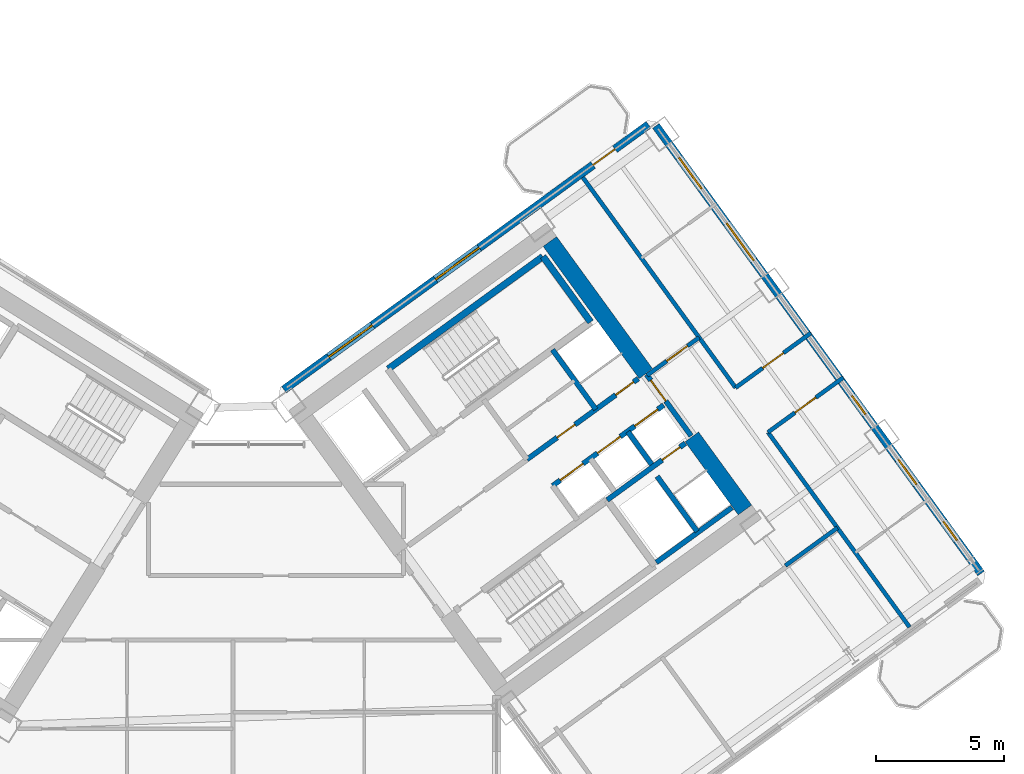
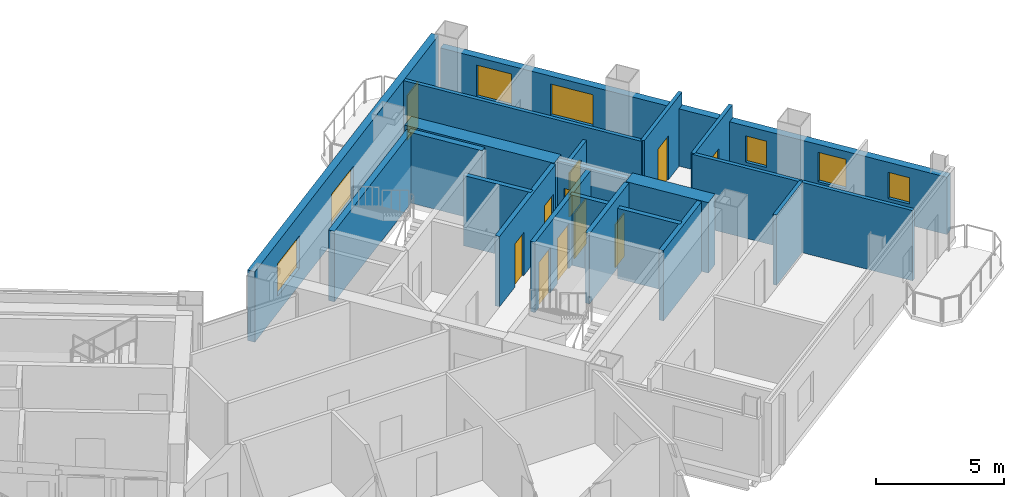
# One storey, part 19 of 28: 20 walls, 11 doors, 7 windows, 18 openings.
"""IFC4 building model written with IfcOpenShell, lengths in metres."""

from ifc_helpers import new_model, si_unit, direction, frame, frame_2d, origin, place, context, subcontext, project, spatial, rectangle, extrude, source, transform, mapped, material, layer, layer_set, type_object, element, fill, save


model = new_model("IFC4")

# Units and contexts
model_context = context("Model", 3, precision=1e-05, world=origin(), true_north=direction((0.0, 1.0)))
body_context = subcontext(model_context, "Body", "Model", "MODEL_VIEW")
ifc_project = project(units=[si_unit("LENGTHUNIT", "METRE"), si_unit("AREAUNIT", "SQUARE_METRE"), si_unit("VOLUMEUNIT", "CUBIC_METRE"), si_unit("PLANEANGLEUNIT", "RADIAN"), si_unit("MASSUNIT", "GRAM", prefix="KILO")], contexts=[model_context])

# Site, building, storey
site_placement = place(None, origin())
site = spatial("IfcSite", under=ifc_project, at=site_placement, CompositionType="ELEMENT")
building_placement = place(site_placement, origin())
building = spatial("IfcBuilding", under=site, at=building_placement, Name="Tlacorven Tower", CompositionType="ELEMENT")
storey_placement = place(building_placement, frame((0.0, 0.0, 56.39990234375)))
storey = spatial("IfcBuildingStorey", under=building, at=storey_placement, Name="L14", CompositionType="ELEMENT", Elevation=56.39990234375)

# Walls
ifc_material_1 = material(Name="Concrete C60/75", Category="concrete")
ifc_layer_1 = layer(ifc_material_1, 0.64990234375)
ifc_layer_set_1 = layer_set([ifc_layer_1], Name="Concrete C60/75")
wall_type_1 = type_object("IfcWallType", Name="WL-COR-650", PredefinedType="SHEAR", material=ifc_layer_set_1)
wall_1_placement = place(storey_placement, frame((61.9287109375, 20.494384765625, 0.0), z_axis=(0.0, 0.0, 1.0), x_axis=(-0.58782982593, 0.808984607855, 0.0)))
element("IfcWall", 1, at=wall_1_placement, inside=storey, type_object=wall_type_1, Name="L14 E core end wall E2.1", PredefinedType="SHEAR", context=body_context, shape_type="SweptSolid", body=[
    extrude(rectangle(XDim=3.52490234375, YDim=0.64990234375, at=frame_2d((1.762451171875, 0.0))), origin(), (0.0, 0.0, 1.0), 3.35009765625),
])
wall_2_placement = place(storey_placement, frame((58.06396484375, 25.8134765625, 0.0), z_axis=(0.0, 0.0, 1.0), x_axis=(-0.58777996584, 0.809020835181, 0.0)))
element("IfcWall", 2, at=wall_2_placement, inside=storey, type_object=wall_type_1, Name="L14 E core end wall E2.2", PredefinedType="SHEAR", context=body_context, shape_type="SweptSolid", body=[
    extrude(rectangle(XDim=6.375, YDim=0.64990234375, at=frame_2d((3.1875, 0.0))), origin(), (0.0, 0.0, 1.0), 3.35009765625),
])
ifc_material_2 = material(Name="Gypsum plasterboard acoustic partition", Category="gypsum")
ifc_layer_2 = layer(ifc_material_2, 0.159912109375)
ifc_layer_set_2 = layer_set([ifc_layer_2], Name="Gypsum plasterboard acoustic partition")
wall_type_2 = type_object("IfcWallType", Name="WL-DEM-160", PredefinedType="PARTITIONING", material=ifc_layer_set_2)
wall_3_placement = place(storey_placement, frame((63.5068359375, 18.322021484375, 0.0), z_axis=(0.0, 0.0, 1.0), x_axis=(0.809034604122, 0.587761013791, 0.0)))
element("IfcWall", 3, at=wall_3_placement, inside=storey, type_object=wall_type_2, Name="L14 partition 89", PredefinedType="PARTITIONING", context=body_context, shape_type="SweptSolid", body=[
    extrude(rectangle(XDim=2.510009765625, YDim=0.159912109375, at=frame_2d((1.2548828125, 0.0))), origin(), (0.0, 0.0, 1.0), 3.340087890625),
])

# Wall, opening, door
wall_4_placement = place(storey_placement, frame((58.111083984375, 25.748779296875, 0.0), z_axis=(0.0, 0.0, 1.0), x_axis=(0.809000999347, 0.58780726693, 0.0)))
wall_4 = element("IfcWall", 4, at=wall_4_placement, inside=storey, type_object=wall_type_2, Name="L14 partition 90", PredefinedType="PARTITIONING", context=body_context, shape_type="SweptSolid", body=[
    extrude(rectangle(XDim=2.510009765625, YDim=0.159912109375, at=frame_2d((1.2548828125, 0.0))), origin(), (0.0, 0.0, 1.0), 2.72509765625),
])
opening_1_placement = place(wall_4_placement, frame((0.949951171875, 0.0, 0.0)))
opening_1 = element("IfcOpeningElement", 5, at=opening_1_placement, cuts=wall_4, Name="Opening D11", PredefinedType="OPENING", context=body_context, shape_type="SweptSolid", body=[
    extrude(rectangle(XDim=1.0, YDim=2.10009765625, at=frame_2d((0.5, 1.050048828125))), frame((0.0, 0.08984375, 0.0), z_axis=(0.0, -1.0, 0.0), x_axis=(1.0, 0.0, 0.0)), (0.0, 0.0, 1.0), 0.179931640625),
])
ifc_material_3 = material(Name="Fire-rated steel door assembly", Category="steel")
door_type_1 = type_object("IfcDoorType", Name="DR-FLT-FD60-1000", OperationType="NOTDEFINED", PredefinedType="DOOR", material=ifc_material_3)
shared_shape_1 = source(origin(), body_context, "Body", "SweptSolid", [
    extrude(rectangle(XDim=1.0, YDim=2.10009765625, at=frame_2d((0.5, 1.050048828125))), frame((0.0, 0.02490234375, 0.0), z_axis=(0.0, -1.0, 0.0), x_axis=(1.0, 0.0, 0.0)), (0.0, 0.0, 1.0), 0.050048828125),
])
door_1_placement = place(opening_1_placement, origin())
door_1 = element("IfcDoor", 6, at=door_1_placement, inside=storey, type_object=door_type_1, Name="L14 door 053", OperationType="SINGLE_SWING_LEFT", OverallHeight=2.10009765625, OverallWidth=1.0, PredefinedType="DOOR", context=body_context, shape_type="MappedRepresentation", body=[
    mapped(shared_shape_1, transform((0.0, 0.0, 0.0), scale=1.0)),
])
fill(opening_1, door_1)

# Walls
wall_5_placement = place(storey_placement, frame((68.35302734375, 15.922119140625, 0.0), z_axis=(0.0, 0.0, 1.0), x_axis=(-0.587784007866, 0.809017898502, 0.0)))
element("IfcWall", 7, at=wall_5_placement, inside=storey, type_object=wall_type_2, Name="L14 partition 91", PredefinedType="PARTITIONING", context=body_context, shape_type="SweptSolid", body=[
    extrude(rectangle(XDim=9.39990234375, YDim=0.159912109375, at=frame_2d((4.699951171875, 0.0))), origin(), (0.0, 0.0, 1.0), 3.340087890625),
])
wall_6_placement = place(storey_placement, frame((61.564208984375, 25.266357421875, 0.0), z_axis=(0.0, 0.0, 1.0), x_axis=(-0.587792629712, 0.809011634314, 0.0)))
element("IfcWall", 8, at=wall_6_placement, inside=storey, type_object=wall_type_2, Name="L14 partition 92", PredefinedType="PARTITIONING", context=body_context, shape_type="SweptSolid", body=[
    extrude(rectangle(XDim=10.14990234375, YDim=0.159912109375, at=frame_2d((5.074951171875, 0.0))), origin(), (0.0, 0.0, 1.0), 3.340087890625),
])

# Wall, opening, door
wall_7_placement = place(storey_placement, frame((62.827880859375, 23.52685546875, 0.0), z_axis=(0.0, 0.0, 1.0), x_axis=(0.809003564202, 0.587803736896, 0.0)))
wall_7 = element("IfcWall", 9, at=wall_7_placement, inside=storey, type_object=wall_type_2, Name="L14 partition 94", PredefinedType="PARTITIONING", context=body_context, shape_type="SweptSolid", body=[
    extrude(rectangle(XDim=3.630126953125, YDim=0.159912109375, at=frame_2d((1.81494140625, 0.0))), origin(), (0.0, 0.0, 1.0), 3.340087890625),
])
opening_2_placement = place(wall_7_placement, frame((1.304931640625, 0.0, 0.0)))
opening_2 = element("IfcOpeningElement", 10, at=opening_2_placement, cuts=wall_7, Name="Opening D11", PredefinedType="OPENING", context=body_context, shape_type="SweptSolid", body=[
    extrude(rectangle(XDim=1.0, YDim=2.10009765625, at=frame_2d((0.5, 1.050048828125))), frame((0.0, 0.08984375, 0.0), z_axis=(0.0, -1.0, 0.0), x_axis=(1.0, 0.0, 0.0)), (0.0, 0.0, 1.0), 0.179931640625),
])
door_2_placement = place(opening_2_placement, origin())
door_2 = element("IfcDoor", 11, at=door_2_placement, inside=storey, type_object=door_type_1, Name="L14 door 057", OperationType="SINGLE_SWING_LEFT", OverallHeight=2.10009765625, OverallWidth=1.0, PredefinedType="DOOR", context=body_context, shape_type="MappedRepresentation", body=[
    mapped(shared_shape_1, transform((0.0, 0.0, 0.0), scale=1.0)),
])
fill(opening_2, door_2)

wall_8_placement = place(storey_placement, frame((61.564208984375, 25.266357421875, 0.0), z_axis=(0.0, 0.0, 1.0), x_axis=(0.809012309495, 0.587791700422, 0.0)))
wall_8 = element("IfcWall", 12, at=wall_8_placement, inside=storey, type_object=wall_type_2, Name="L14 partition 95", PredefinedType="PARTITIONING", context=body_context, shape_type="SweptSolid", body=[
    extrude(rectangle(XDim=3.6298828125, YDim=0.159912109375, at=frame_2d((1.81494140625, 0.0))), origin(), (0.0, 0.0, 1.0), 3.340087890625),
])
opening_3_placement = place(wall_8_placement, frame((1.304931640625, 0.0, 0.0)))
opening_3 = element("IfcOpeningElement", 13, at=opening_3_placement, cuts=wall_8, Name="Opening D11", PredefinedType="OPENING", context=body_context, shape_type="SweptSolid", body=[
    extrude(rectangle(XDim=1.0, YDim=2.10009765625, at=frame_2d((0.5, 1.050048828125))), frame((0.0, 0.08984375, 0.0), z_axis=(0.0, -1.0, 0.0), x_axis=(1.0, 0.0, 0.0)), (0.0, 0.0, 1.0), 0.179931640625),
])
door_3_placement = place(opening_3_placement, origin())
door_3 = element("IfcDoor", 14, at=door_3_placement, inside=storey, type_object=door_type_1, Name="L14 door 055", OperationType="SINGLE_SWING_LEFT", OverallHeight=2.10009765625, OverallWidth=1.0, PredefinedType="DOOR", context=body_context, shape_type="MappedRepresentation", body=[
    mapped(shared_shape_1, transform((0.0, 0.0, 0.0), scale=1.0)),
])
fill(opening_3, door_3)

# Wall, openings, door, windows
ifc_material_4 = material(Name="Precast concrete C45/55", Category="concrete")
ifc_layer_3 = layer(ifc_material_4, 0.320068359375)
ifc_layer_set_3 = layer_set([ifc_layer_3], Name="Precast concrete C45/55")
wall_type_3 = type_object("IfcWallType", Name="WL-EXT-320", PredefinedType="STANDARD", material=ifc_layer_set_3)
wall_9_placement = place(storey_placement, frame((43.93798828125, 25.191650390625, 0.0), z_axis=(0.0, 0.0, 1.0), x_axis=(0.809016324578, 0.587786174187, 0.0)))
wall_9 = element("IfcWall", 15, at=wall_9_placement, inside=storey, type_object=wall_type_3, Name="L14 Masonry-Frame Recessed Facade Wall 4", PredefinedType="STANDARD", context=body_context, shape_type="SweptSolid", body=[
    extrude(rectangle(XDim=17.58740234375, YDim=0.320068359375, at=frame_2d((8.793701171875, 0.0))), origin(), (0.0, 0.0, 1.0), 3.35009765625),
])
opening_4_placement = place(wall_9_placement, frame((14.913818359375, 0.0, 0.0)))
opening_4 = element("IfcOpeningElement", 16, at=opening_4_placement, cuts=wall_9, Name="Opening D06", PredefinedType="OPENING", context=body_context, shape_type="SweptSolid", body=[
    extrude(rectangle(XDim=1.050048828125, YDim=2.14990234375, at=frame_2d((0.52490234375, 1.074951171875))), frame((0.0, 0.169921875, 0.0), z_axis=(0.0, -1.0, 0.0), x_axis=(1.0, 0.0, 0.0)), (0.0, 0.0, 1.0), 0.340087890625),
])
opening_5_placement = place(wall_9_placement, frame((2.168701171875, 0.0, 0.800048828125)))
opening_5 = element("IfcOpeningElement", 17, at=opening_5_placement, cuts=wall_9, Name="Opening WN04", PredefinedType="OPENING", context=body_context, shape_type="SweptSolid", body=[
    extrude(rectangle(XDim=2.10009765625, YDim=1.550048828125, at=frame_2d((1.050048828125, 0.77490234375))), frame((0.0, 0.169921875, 0.0), z_axis=(0.0, -1.0, 0.0), x_axis=(1.0, 0.0, 0.0)), (0.0, 0.0, 1.0), 0.340087890625),
])
opening_6_placement = place(wall_9_placement, frame((7.318603515625, 0.0, 0.800048828125)))
opening_6 = element("IfcOpeningElement", 18, at=opening_6_placement, cuts=wall_9, Name="Opening WN04", PredefinedType="OPENING", context=body_context, shape_type="SweptSolid", body=[
    extrude(rectangle(XDim=2.10009765625, YDim=1.550048828125, at=frame_2d((1.050048828125, 0.77490234375))), frame((0.0, 0.169921875, 0.0), z_axis=(0.0, -1.0, 0.0), x_axis=(1.0, 0.0, 0.0)), (0.0, 0.0, 1.0), 0.340087890625),
])
ifc_material_5 = material(Name="Powder-coated aluminium and timber door", Category="wood")
door_type_2 = type_object("IfcDoorType", Name="DR-EXT-BALC-1050", OperationType="NOTDEFINED", PredefinedType="DOOR", material=ifc_material_5)
shared_shape_2 = source(origin(), body_context, "Body", "SweptSolid", [
    extrude(rectangle(XDim=1.050048828125, YDim=2.14990234375, at=frame_2d((0.52490234375, 1.074951171875))), frame((0.0, 0.02490234375, 0.0), z_axis=(0.0, -1.0, 0.0), x_axis=(1.0, 0.0, 0.0)), (0.0, 0.0, 1.0), 0.050048828125),
])
door_4_placement = place(opening_4_placement, origin())
door_4 = element("IfcDoor", 19, at=door_4_placement, inside=storey, type_object=door_type_2, Name="L14 Outdoor Access Door BAL-L14-E-IN", OperationType="SINGLE_SWING_RIGHT", OverallHeight=2.14990234375, OverallWidth=1.050048828125, PredefinedType="DOOR", context=body_context, shape_type="MappedRepresentation", body=[
    mapped(shared_shape_2, transform((0.0, 0.0, 0.0), scale=1.0)),
])
fill(opening_4, door_4)
ifc_material_6 = material(Name="Dark solar low-E double glazing in anodised aluminium frame", Category="aluminium")
window_type_1 = type_object("IfcWindowType", Name="WN-APT-2100X1750", PartitioningType="SINGLE_PANEL", PredefinedType="WINDOW", material=ifc_material_6)
shared_shape_3 = source(origin(), body_context, "Body", "SweptSolid", [
    extrude(rectangle(XDim=2.10009765625, YDim=1.550048828125, at=frame_2d((1.050048828125, 0.77490234375))), frame((0.0, 0.030029296875, 0.0), z_axis=(0.0, -1.0, 0.0), x_axis=(1.0, 0.0, 0.0)), (0.0, 0.0, 1.0), 0.06005859375),
])
window_1_placement = place(opening_5_placement, origin())
window_1 = element("IfcWindow", 20, at=window_1_placement, inside=storey, type_object=window_type_1, Name="L14 Recessed Masonry-Frame Window L14-04.1", OverallHeight=1.550048828125, OverallWidth=2.10009765625, PartitioningType="SINGLE_PANEL", PredefinedType="WINDOW", context=body_context, shape_type="MappedRepresentation", body=[
    mapped(shared_shape_3, transform((0.0, 0.0, 0.0), scale=1.0)),
])
fill(opening_5, window_1)
window_2_placement = place(opening_6_placement, origin())
window_2 = element("IfcWindow", 21, at=window_2_placement, inside=storey, type_object=window_type_1, Name="L14 Recessed Masonry-Frame Window L14-04.2", OverallHeight=1.550048828125, OverallWidth=2.10009765625, PartitioningType="SINGLE_PANEL", PredefinedType="WINDOW", context=body_context, shape_type="MappedRepresentation", body=[
    mapped(shared_shape_3, transform((0.0, 0.0, 0.0), scale=1.0)),
])
fill(opening_6, window_2)

# Wall, openings, windows
wall_10_placement = place(storey_placement, frame((58.45458984375, 35.483642578125, 0.0), z_axis=(0.0, 0.0, 1.0), x_axis=(0.587783625747, -0.809018176127, 0.0)))
wall_10 = element("IfcWall", 22, at=wall_10_placement, inside=storey, type_object=wall_type_3, Name="L14 Masonry-Frame Recessed Facade Wall 5", PredefinedType="STANDARD", context=body_context, shape_type="SweptSolid", body=[
    extrude(rectangle(XDim=21.58740234375, YDim=0.320068359375, at=frame_2d((10.793701171875, 0.0))), origin(), (0.0, 0.0, 1.0), 2.72509765625),
])
opening_7_placement = place(wall_10_placement, frame((1.540283203125, 0.0, 0.85009765625)))
opening_7 = element("IfcOpeningElement", 23, at=opening_7_placement, cuts=wall_10, Name="Opening WN02", PredefinedType="OPENING", context=body_context, shape_type="SweptSolid", body=[
    extrude(rectangle(XDim=1.5, YDim=1.5, at=frame_2d((0.75, 0.75))), frame((0.0, 0.169921875, 0.0), z_axis=(0.0, -1.0, 0.0), x_axis=(1.0, 0.0, 0.0)), (0.0, 0.0, 1.0), 0.340087890625),
])
opening_8_placement = place(wall_10_placement, frame((4.6953125, 0.0, 0.85009765625)))
opening_8 = element("IfcOpeningElement", 24, at=opening_8_placement, cuts=wall_10, Name="Opening WN01", PredefinedType="OPENING", context=body_context, shape_type="SweptSolid", body=[
    extrude(rectangle(XDim=1.800048828125, YDim=1.5, at=frame_2d((0.89990234375, 0.75))), frame((0.0, 0.169921875, 0.0), z_axis=(0.0, -1.0, 0.0), x_axis=(1.0, 0.0, 0.0)), (0.0, 0.0, 1.0), 0.340087890625),
])
opening_9_placement = place(wall_10_placement, frame((13.0087890625, 0.0, 1.0)))
opening_9 = element("IfcOpeningElement", 25, at=opening_9_placement, cuts=wall_10, Name="Opening WN05", PredefinedType="OPENING", context=body_context, shape_type="SweptSolid", body=[
    extrude(rectangle(XDim=0.89990234375, YDim=1.25, at=frame_2d((0.449951171875, 0.625))), frame((0.0, 0.169921875, 0.0), z_axis=(0.0, -1.0, 0.0), x_axis=(1.0, 0.0, 0.0)), (0.0, 0.0, 1.0), 0.340087890625),
])
opening_10_placement = place(wall_10_placement, frame((16.09228515625, 0.0, 0.949951171875)))
opening_10 = element("IfcOpeningElement", 26, at=opening_10_placement, cuts=wall_10, Name="Opening WN03", PredefinedType="OPENING", context=body_context, shape_type="SweptSolid", body=[
    extrude(rectangle(XDim=1.199951171875, YDim=1.39990234375, at=frame_2d((0.60009765625, 0.699951171875))), frame((0.0, 0.169921875, 0.0), z_axis=(0.0, -1.0, 0.0), x_axis=(1.0, 0.0, 0.0)), (0.0, 0.0, 1.0), 0.340087890625),
])
opening_11_placement = place(wall_10_placement, frame((19.084716796875, 0.0, 1.0)))
opening_11 = element("IfcOpeningElement", 27, at=opening_11_placement, cuts=wall_10, Name="Opening WN05", PredefinedType="OPENING", context=body_context, shape_type="SweptSolid", body=[
    extrude(rectangle(XDim=0.89990234375, YDim=1.25, at=frame_2d((0.449951171875, 0.625))), frame((0.0, 0.169921875, 0.0), z_axis=(0.0, -1.0, 0.0), x_axis=(1.0, 0.0, 0.0)), (0.0, 0.0, 1.0), 0.340087890625),
])
window_type_2 = type_object("IfcWindowType", Name="WN-APT-1200X1500", PartitioningType="SINGLE_PANEL", PredefinedType="WINDOW", material=ifc_material_6)
shared_shape_4 = source(origin(), body_context, "Body", "SweptSolid", [
    extrude(rectangle(XDim=1.199951171875, YDim=1.39990234375, at=frame_2d((0.60009765625, 0.699951171875))), frame((0.0, 0.030029296875, 0.0), z_axis=(0.0, -1.0, 0.0), x_axis=(1.0, 0.0, 0.0)), (0.0, 0.0, 1.0), 0.06005859375),
])
window_3_placement = place(opening_10_placement, origin())
window_3 = element("IfcWindow", 28, at=window_3_placement, inside=storey, type_object=window_type_2, Name="L14 Recessed Masonry-Frame Window L14-05.4", OverallHeight=1.39990234375, OverallWidth=1.199951171875, PartitioningType="SINGLE_PANEL", PredefinedType="WINDOW", context=body_context, shape_type="MappedRepresentation", body=[
    mapped(shared_shape_4, transform((0.0, 0.0, 0.0), scale=1.0)),
])
fill(opening_10, window_3)
window_type_3 = type_object("IfcWindowType", Name="WN-APT-1800X1650", PartitioningType="SINGLE_PANEL", PredefinedType="WINDOW", material=ifc_material_6)
shared_shape_5 = source(origin(), body_context, "Body", "SweptSolid", [
    extrude(rectangle(XDim=1.800048828125, YDim=1.5, at=frame_2d((0.89990234375, 0.75))), frame((0.0, 0.030029296875, 0.0), z_axis=(0.0, -1.0, 0.0), x_axis=(1.0, 0.0, 0.0)), (0.0, 0.0, 1.0), 0.06005859375),
])
window_4_placement = place(opening_8_placement, origin())
window_4 = element("IfcWindow", 29, at=window_4_placement, inside=storey, type_object=window_type_3, Name="L14 Recessed Masonry-Frame Window L14-05.2", OverallHeight=1.5, OverallWidth=1.800048828125, PartitioningType="SINGLE_PANEL", PredefinedType="WINDOW", context=body_context, shape_type="MappedRepresentation", body=[
    mapped(shared_shape_5, transform((0.0, 0.0, 0.0), scale=1.0)),
])
fill(opening_8, window_4)
window_type_4 = type_object("IfcWindowType", Name="WN-APT-1500X1650", PartitioningType="SINGLE_PANEL", PredefinedType="WINDOW", material=ifc_material_6)
shared_shape_6 = source(origin(), body_context, "Body", "SweptSolid", [
    extrude(rectangle(XDim=1.5, YDim=1.5, at=frame_2d((0.75, 0.75))), frame((0.0, 0.030029296875, 0.0), z_axis=(0.0, -1.0, 0.0), x_axis=(1.0, 0.0, 0.0)), (0.0, 0.0, 1.0), 0.06005859375),
])
window_5_placement = place(opening_7_placement, origin())
window_5 = element("IfcWindow", 30, at=window_5_placement, inside=storey, type_object=window_type_4, Name="L14 Recessed Masonry-Frame Window L14-05.1", OverallHeight=1.5, OverallWidth=1.5, PartitioningType="SINGLE_PANEL", PredefinedType="WINDOW", context=body_context, shape_type="MappedRepresentation", body=[
    mapped(shared_shape_6, transform((0.0, 0.0, 0.0), scale=1.0)),
])
fill(opening_7, window_5)
window_type_5 = type_object("IfcWindowType", Name="WN-APT-0900X1350", PartitioningType="SINGLE_PANEL", PredefinedType="WINDOW", material=ifc_material_6)
shared_shape_7 = source(origin(), body_context, "Body", "SweptSolid", [
    extrude(rectangle(XDim=0.89990234375, YDim=1.25, at=frame_2d((0.449951171875, 0.625))), frame((0.0, 0.030029296875, 0.0), z_axis=(0.0, -1.0, 0.0), x_axis=(1.0, 0.0, 0.0)), (0.0, 0.0, 1.0), 0.06005859375),
])
window_6_placement = place(opening_9_placement, origin())
window_6 = element("IfcWindow", 31, at=window_6_placement, inside=storey, type_object=window_type_5, Name="L14 Recessed Masonry-Frame Window L14-05.3", OverallHeight=1.25, OverallWidth=0.89990234375, PartitioningType="SINGLE_PANEL", PredefinedType="WINDOW", context=body_context, shape_type="MappedRepresentation", body=[
    mapped(shared_shape_7, transform((0.0, 0.0, 0.0), scale=1.0)),
])
fill(opening_9, window_6)
window_7_placement = place(opening_11_placement, origin())
window_7 = element("IfcWindow", 32, at=window_7_placement, inside=storey, type_object=window_type_5, Name="L14 Recessed Masonry-Frame Window L14-05.5", OverallHeight=1.25, OverallWidth=0.89990234375, PartitioningType="SINGLE_PANEL", PredefinedType="WINDOW", context=body_context, shape_type="MappedRepresentation", body=[
    mapped(shared_shape_7, transform((0.0, 0.0, 0.0), scale=1.0)),
])
fill(opening_11, window_7)

# Wall, opening, door
ifc_material_7 = material(Name="Concrete C40/50", Category="concrete")
ifc_layer_4 = layer(ifc_material_7, 0.199951171875)
ifc_layer_set_4 = layer_set([ifc_layer_4], Name="Concrete C40/50")
wall_type_4 = type_object("IfcWallType", Name="WL-SHF-200", PredefinedType="STANDARD", material=ifc_layer_set_4)
wall_11_placement = place(storey_placement, frame((56.552978515625, 20.884033203125, 0.0), z_axis=(0.0, 0.0, 1.0), x_axis=(0.809035789462, 0.587759382205, 0.0)))
wall_11 = element("IfcWall", 33, at=wall_11_placement, inside=storey, type_object=wall_type_4, Name="L14 Core E South Lift Shaft Wall", PredefinedType="STANDARD", context=body_context, shape_type="SweptSolid", body=[
    extrude(rectangle(XDim=3.767822265625, YDim=0.199951171875, at=frame_2d((1.8837890625, 0.0))), origin(), (0.0, 0.0, 1.0), 3.340087890625),
])
opening_12_placement = place(wall_11_placement, frame((2.64990234375, 0.0, 0.0)))
opening_12 = element("IfcOpeningElement", 34, at=opening_12_placement, cuts=wall_11, Name="Opening D19", PredefinedType="OPENING", context=body_context, shape_type="SweptSolid", body=[
    extrude(rectangle(XDim=0.860107421875, YDim=2.050048828125, at=frame_2d((0.43017578125, 1.02490234375))), frame((0.0, 0.10986328125, 0.0), z_axis=(0.0, -1.0, 0.0), x_axis=(1.0, 0.0, 0.0)), (0.0, 0.0, 1.0), 0.219970703125),
])
door_type_3 = type_object("IfcDoorType", Name="DR-RSR-FD60-0860", OperationType="NOTDEFINED", PredefinedType="DOOR", material=ifc_material_3)
shared_shape_8 = source(origin(), body_context, "Body", "SweptSolid", [
    extrude(rectangle(XDim=0.860107421875, YDim=2.050048828125, at=frame_2d((0.43017578125, 1.02490234375))), frame((0.0, 0.02490234375, 0.0), z_axis=(0.0, -1.0, 0.0), x_axis=(1.0, 0.0, 0.0)), (0.0, 0.0, 1.0), 0.050048828125),
])
door_5_placement = place(opening_12_placement, origin())
door_5 = element("IfcDoor", 35, at=door_5_placement, inside=storey, type_object=door_type_3, Name="L14 Smoke Extract Riser Access Door", OperationType="SINGLE_SWING_RIGHT", OverallHeight=2.050048828125, OverallWidth=0.860107421875, PredefinedType="DOOR", context=body_context, shape_type="MappedRepresentation", body=[
    mapped(shared_shape_8, transform((0.0, 0.0, 0.0), scale=1.0)),
])
fill(opening_12, door_5)

# Wall, openings, doors
wall_12_placement = place(storey_placement, frame((54.421142578125, 21.436279296875, 0.0), z_axis=(0.0, 0.0, 1.0), x_axis=(0.809013710463, 0.587789772183, 0.0)))
wall_12 = element("IfcWall", 36, at=wall_12_placement, inside=storey, type_object=wall_type_4, Name="L14 partition 33", PredefinedType="STANDARD", context=body_context, shape_type="SweptSolid", body=[
    extrude(rectangle(XDim=5.360107421875, YDim=0.199951171875, at=frame_2d((2.68017578125, 0.0))), origin(), (0.0, 0.0, 1.0), 3.340087890625),
])
opening_13_placement = place(wall_12_placement, frame((0.3701171875, 0.0, 0.0)))
opening_13 = element("IfcOpeningElement", 37, at=opening_13_placement, cuts=wall_12, Name="Opening LD01", PredefinedType="OPENING", context=body_context, shape_type="SweptSolid", body=[
    extrude(rectangle(XDim=1.10009765625, YDim=2.14990234375, at=frame_2d((0.550048828125, 1.074951171875))), frame((0.0, 0.10986328125, 0.0), z_axis=(0.0, -1.0, 0.0), x_axis=(1.0, 0.0, 0.0)), (0.0, 0.0, 1.0), 0.219970703125),
])
opening_14_placement = place(wall_12_placement, frame((2.169921875, 0.0, 0.0)))
opening_14 = element("IfcOpeningElement", 38, at=opening_14_placement, cuts=wall_12, Name="Opening LD01", PredefinedType="OPENING", context=body_context, shape_type="SweptSolid", body=[
    extrude(rectangle(XDim=1.10009765625, YDim=2.14990234375, at=frame_2d((0.550048828125, 1.074951171875))), frame((0.0, 0.10986328125, 0.0), z_axis=(0.0, -1.0, 0.0), x_axis=(1.0, 0.0, 0.0)), (0.0, 0.0, 1.0), 0.219970703125),
])
opening_15_placement = place(wall_12_placement, frame((3.969970703125, 0.0, 0.0)))
opening_15 = element("IfcOpeningElement", 39, at=opening_15_placement, cuts=wall_12, Name="Opening LD01", PredefinedType="OPENING", context=body_context, shape_type="SweptSolid", body=[
    extrude(rectangle(XDim=1.10009765625, YDim=2.14990234375, at=frame_2d((0.550048828125, 1.074951171875))), frame((0.0, 0.10986328125, 0.0), z_axis=(0.0, -1.0, 0.0), x_axis=(1.0, 0.0, 0.0)), (0.0, 0.0, 1.0), 0.219970703125),
])
door_type_4 = type_object("IfcDoorType", Name="DR-LFT-SLID-1100", OperationType="DOUBLE_DOOR_SLIDING", PredefinedType="DOOR", material=ifc_material_3)
shared_shape_9 = source(origin(), body_context, "Body", "SweptSolid", [
    extrude(rectangle(XDim=1.10009765625, YDim=2.14990234375, at=frame_2d((0.550048828125, 1.074951171875))), frame((0.0, 0.02490234375, 0.0), z_axis=(0.0, -1.0, 0.0), x_axis=(1.0, 0.0, 0.0)), (0.0, 0.0, 1.0), 0.050048828125),
])
door_6_placement = place(opening_13_placement, origin())
door_6 = element("IfcDoor", 40, at=door_6_placement, inside=storey, type_object=door_type_4, Name="L14 Lift PL-L1 Sliding Landing Door", OperationType="DOUBLE_DOOR_SLIDING", OverallHeight=2.14990234375, OverallWidth=1.10009765625, PredefinedType="DOOR", context=body_context, shape_type="MappedRepresentation", body=[
    mapped(shared_shape_9, transform((0.0, 0.0, 0.0), scale=1.0)),
])
fill(opening_13, door_6)
door_7_placement = place(opening_14_placement, origin())
door_7 = element("IfcDoor", 41, at=door_7_placement, inside=storey, type_object=door_type_4, Name="L14 Lift PL-L2 Sliding Landing Door", OperationType="DOUBLE_DOOR_SLIDING", OverallHeight=2.14990234375, OverallWidth=1.10009765625, PredefinedType="DOOR", context=body_context, shape_type="MappedRepresentation", body=[
    mapped(shared_shape_9, transform((0.0, 0.0, 0.0), scale=1.0)),
])
fill(opening_14, door_7)
door_8_placement = place(opening_15_placement, origin())
door_8 = element("IfcDoor", 42, at=door_8_placement, inside=storey, type_object=door_type_4, Name="L14 Lift PL-L3 Sliding Landing Door", OperationType="DOUBLE_DOOR_SLIDING", OverallHeight=2.14990234375, OverallWidth=1.10009765625, PredefinedType="DOOR", context=body_context, shape_type="MappedRepresentation", body=[
    mapped(shared_shape_9, transform((0.0, 0.0, 0.0), scale=1.0)),
])
fill(opening_15, door_8)

# Walls
wall_13_placement = place(storey_placement, frame((58.290283203125, 22.269775390625, 0.0), z_axis=(0.0, 0.0, 1.0), x_axis=(-0.587840865826, 0.808976585857, 0.0)))
element("IfcWall", 43, at=wall_13_placement, inside=storey, type_object=wall_type_4, Name="L14 partition 37", PredefinedType="STANDARD", context=body_context, shape_type="SweptSolid", body=[
    extrude(rectangle(XDim=1.579833984375, YDim=0.199951171875, at=frame_2d((0.7900390625, 0.0))), origin(), (0.0, 0.0, 1.0), 3.340087890625),
])
wall_14_placement = place(storey_placement, frame((60.066650390625, 19.654541015625, 0.0), z_axis=(0.0, 0.0, 1.0), x_axis=(-0.587800520745, 0.809005900975, 0.0)))
element("IfcWall", 44, at=wall_14_placement, inside=storey, type_object=wall_type_4, Name="L14 partition 38", PredefinedType="STANDARD", context=body_context, shape_type="SweptSolid", body=[
    extrude(rectangle(XDim=2.659912109375, YDim=0.199951171875, at=frame_2d((1.330078125, 0.0))), origin(), (0.0, 0.0, 1.0), 3.340087890625),
])
wall_15_placement = place(storey_placement, frame((58.47216796875, 18.446533203125, 0.0), z_axis=(0.0, 0.0, 1.0), x_axis=(0.809022487728, 0.587777691266, 0.0)))
element("IfcWall", 45, at=wall_15_placement, inside=storey, type_object=wall_type_4, Name="L14 partition 40", PredefinedType="STANDARD", context=body_context, shape_type="SweptSolid", body=[
    extrude(rectangle(XDim=3.648193359375, YDim=0.199951171875, at=frame_2d((1.82421875, 0.0))), origin(), (0.0, 0.0, 1.0), 3.340087890625),
])
wall_16_placement = place(storey_placement, frame((56.110595703125, 24.4189453125, 0.0), z_axis=(0.0, 0.0, 1.0), x_axis=(-0.58777848983, 0.809021907548, 0.0)))
element("IfcWall", 46, at=wall_16_placement, inside=storey, type_object=wall_type_4, Name="L14 partition 43", PredefinedType="STANDARD", context=body_context, shape_type="SweptSolid", body=[
    extrude(rectangle(XDim=2.880126953125, YDim=0.199951171875, at=frame_2d((1.43994140625, 0.0))), origin(), (0.0, 0.0, 1.0), 3.340087890625),
])

# Wall, openings, doors
wall_17_placement = place(storey_placement, frame((53.424560546875, 22.467529296875, 0.0), z_axis=(0.0, 0.0, 1.0), x_axis=(0.80902705128, 0.587771409902, 0.0)))
wall_17 = element("IfcWall", 47, at=wall_17_placement, inside=storey, type_object=wall_type_4, Name="L14 Core E North Service Wall", PredefinedType="STANDARD", context=body_context, shape_type="SweptSolid", body=[
    extrude(rectangle(XDim=5.3681640625, YDim=0.199951171875, at=frame_2d((2.68408203125, 0.0))), origin(), (0.0, 0.0, 1.0), 3.340087890625),
])
opening_16_placement = place(wall_17_placement, frame((4.280029296875, 0.0, 0.0)))
opening_16 = element("IfcOpeningElement", 48, at=opening_16_placement, cuts=wall_17, Name="Opening D19", PredefinedType="OPENING", context=body_context, shape_type="SweptSolid", body=[
    extrude(rectangle(XDim=0.860107421875, YDim=2.050048828125, at=frame_2d((0.43017578125, 1.02490234375))), frame((0.0, 0.10986328125, 0.0), z_axis=(0.0, -1.0, 0.0), x_axis=(1.0, 0.0, 0.0)), (0.0, 0.0, 1.0), 0.219970703125),
])
opening_17_placement = place(wall_17_placement, frame((1.449951171875, 0.0, 0.0)))
opening_17 = element("IfcOpeningElement", 49, at=opening_17_placement, cuts=wall_17, Name="Opening D19", PredefinedType="OPENING", context=body_context, shape_type="SweptSolid", body=[
    extrude(rectangle(XDim=0.860107421875, YDim=2.050048828125, at=frame_2d((0.43017578125, 1.02490234375))), frame((0.0, 0.10986328125, 0.0), z_axis=(0.0, -1.0, 0.0), x_axis=(1.0, 0.0, 0.0)), (0.0, 0.0, 1.0), 0.219970703125),
])
door_9_placement = place(opening_16_placement, frame((0.860107421875, 0.0, 0.0), z_axis=(0.0, 0.0, 1.0), x_axis=(-1.0, 0.0, 0.0)))
door_9 = element("IfcDoor", 50, at=door_9_placement, inside=storey, type_object=door_type_3, Name="L14 Electrical Riser Access Door E", OperationType="SINGLE_SWING_LEFT", OverallHeight=2.050048828125, OverallWidth=0.860107421875, PredefinedType="DOOR", context=body_context, shape_type="MappedRepresentation", body=[
    mapped(shared_shape_8, transform((0.0, 0.0, 0.0), scale=1.0)),
])
fill(opening_16, door_9)
door_10_placement = place(opening_17_placement, frame((0.860107421875, 0.0, 0.0), z_axis=(0.0, 0.0, 1.0), x_axis=(-1.0, 0.0, 0.0)))
door_10 = element("IfcDoor", 51, at=door_10_placement, inside=storey, type_object=door_type_3, Name="L14 Cleaner Store Access Door E", OperationType="SINGLE_SWING_RIGHT", OverallHeight=2.050048828125, OverallWidth=0.860107421875, PredefinedType="DOOR", context=body_context, shape_type="MappedRepresentation", body=[
    mapped(shared_shape_8, transform((0.0, 0.0, 0.0), scale=1.0)),
])
fill(opening_17, door_10)

# Wall, opening, door
wall_18_placement = place(storey_placement, frame((59.827392578125, 23.386474609375, 0.0), z_axis=(0.0, 0.0, 1.0), x_axis=(-0.587803840107, 0.809003489211, 0.0)))
wall_18 = element("IfcWall", 52, at=wall_18_placement, inside=storey, type_object=wall_type_4, Name="L14 partition 88", PredefinedType="STANDARD", context=body_context, shape_type="SweptSolid", body=[
    extrude(rectangle(XDim=2.960205078125, YDim=0.199951171875, at=frame_2d((1.47998046875, 0.0))), origin(), (0.0, 0.0, 1.0), 3.340087890625),
])
opening_18_placement = place(wall_18_placement, frame((1.679931640625, 0.0, 0.0)))
opening_18 = element("IfcOpeningElement", 53, at=opening_18_placement, cuts=wall_18, Name="Opening D11", PredefinedType="OPENING", context=body_context, shape_type="SweptSolid", body=[
    extrude(rectangle(XDim=1.0, YDim=2.10009765625, at=frame_2d((0.5, 1.050048828125))), frame((0.0, 0.10986328125, 0.0), z_axis=(0.0, -1.0, 0.0), x_axis=(1.0, 0.0, 0.0)), (0.0, 0.0, 1.0), 0.219970703125),
])
door_11_placement = place(opening_18_placement, origin())
door_11 = element("IfcDoor", 54, at=door_11_placement, inside=storey, type_object=door_type_1, Name="L14 door 054", OperationType="SINGLE_SWING_RIGHT", OverallHeight=2.10009765625, OverallWidth=1.0, PredefinedType="DOOR", context=body_context, shape_type="MappedRepresentation", body=[
    mapped(shared_shape_1, transform((0.0, 0.0, 0.0), scale=1.0)),
])
fill(opening_18, door_11)

# Walls
ifc_material_8 = material(Name="Concrete C50/60", Category="concrete")
ifc_layer_5 = layer(ifc_material_8, 0.260009765625)
ifc_layer_set_5 = layer_set([ifc_layer_5], Name="Concrete C50/60")
wall_type_5 = type_object("IfcWallType", Name="WL-STW-260", PredefinedType="SHEAR", material=ifc_layer_set_5)
wall_19_placement = place(storey_placement, frame((48.005615234375, 25.996337890625, 0.0), z_axis=(0.0, 0.0, 1.0), x_axis=(0.80901903764, 0.587782439969, 0.0)))
element("IfcWall", 55, at=wall_19_placement, inside=storey, type_object=wall_type_5, Name="L14 Stair E1 Far Shear Wall", PredefinedType="SHEAR", context=body_context, shape_type="SweptSolid", body=[
    extrude(rectangle(XDim=7.4599609375, YDim=0.260009765625, at=frame_2d((3.72998046875, 0.0))), origin(), (0.0, 0.0, 1.0), 3.35009765625),
])
wall_20_placement = place(storey_placement, frame((55.906494140625, 27.83056640625, 0.0), z_axis=(0.0, 0.0, 1.0), x_axis=(-0.587804123638, 0.809003283204, 0.0)))
element("IfcWall", 56, at=wall_20_placement, inside=storey, type_object=wall_type_5, Name="L14 Stair E1 East Shear Wall", PredefinedType="SHEAR", context=body_context, shape_type="SweptSolid", body=[
    extrude(rectangle(XDim=3.159912109375, YDim=0.260009765625, at=frame_2d((1.580078125, 0.0))), origin(), (0.0, 0.0, 1.0), 3.35009765625),
])

save(model, "model.ifc")
